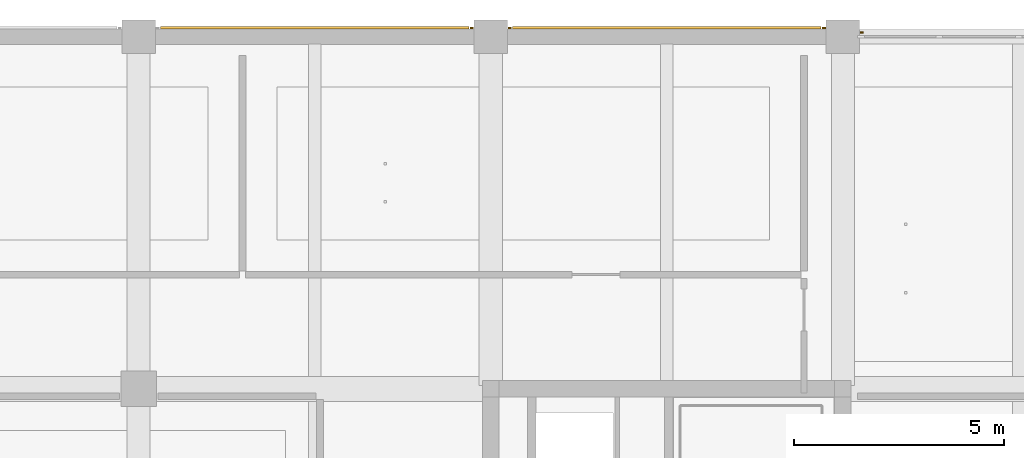
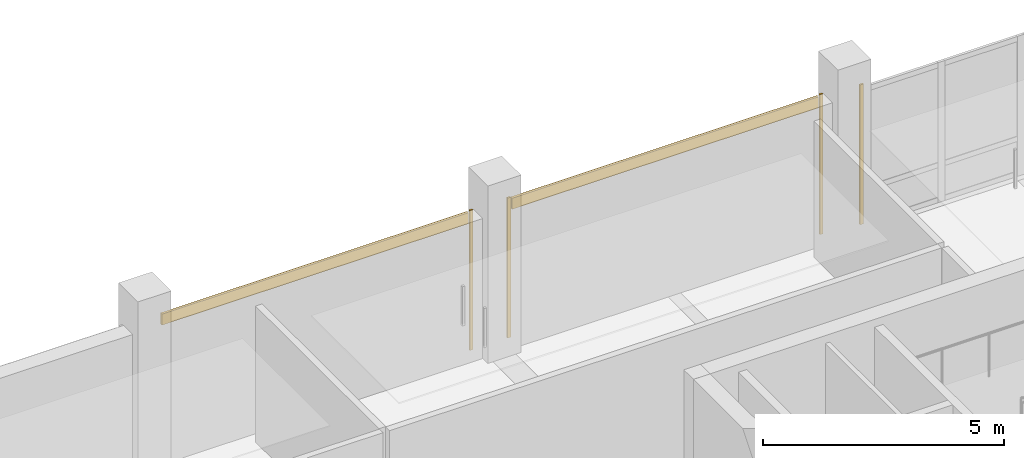
# One storey, part 34 of 35: 6 coverings.
"""IFC4 building model written with IfcOpenShell, lengths in metres."""

from ifc_helpers import new_model, si_unit, direction, frame, origin, origin_2d, place, context, subcontext, project, spatial, rectangle, extrude, material, layer, layer_set, type_object, element, save


model = new_model("IFC4")

# Units and contexts
model_context = context("Model", 3, precision=1e-05, world=origin(), true_north=direction((0.0, 1.0)))
body_context = subcontext(model_context, "Body", "Model", "MODEL_VIEW")
ifc_project = project(units=[si_unit("LENGTHUNIT", "METRE"), si_unit("AREAUNIT", "SQUARE_METRE"), si_unit("VOLUMEUNIT", "CUBIC_METRE"), si_unit("PLANEANGLEUNIT", "RADIAN"), si_unit("MASSUNIT", "GRAM", prefix="KILO")], contexts=[model_context])

# Site, building, storey
site_placement = place(None, origin())
site = spatial("IfcSite", under=ifc_project, at=site_placement, CompositionType="ELEMENT")
building_placement = place(site_placement, origin())
building = spatial("IfcBuilding", under=site, at=building_placement, Name="Telukmera Botanical Conservatory", CompositionType="ELEMENT")
storey_placement = place(building_placement, frame((0.0, 0.0, 28.5)))
storey = spatial("IfcBuildingStorey", under=building, at=storey_placement, Name="L06", CompositionType="ELEMENT", Elevation=28.5)

# Coverings
ifc_material_1 = material(Name="Granite-faced precast concrete C40/50", Category="masonry")
ifc_layer_1 = layer(ifc_material_1, 0.0400390625)
ifc_layer_set_1 = layer_set([ifc_layer_1], Name="Granite-faced precast concrete C40/50")
covering_type_1 = type_object("IfcCoveringType", Name="Granite Precast Column Pier Reveal Casing", PredefinedType="CLADDING", material=ifc_layer_set_1)
for number, where, z_axis, x_axis, name in (
    (1, (91.947998046875, 43.010009765625, 0.0), (0.0, 0.0, 1.0), (1.0, 0.0, 0.0), "Granite Pier Reveal V4:L06:N5 R"),
    (2, (92.85205078125, 43.010009765625, 0.0), (0.0, 0.0, 1.0), (1.0, 0.0, 0.0), "Granite Pier Reveal V4:L06:N6 L"),
    (3, (100.347900390625, 43.010009765625, 0.0), (0.0, 0.0, 1.0), (1.0, 0.0, 0.0), "Granite Pier Reveal V4:L06:N6 R"),
    (4, (101.251953125, 42.89990234375, 0.0), (0.0, 0.0, 1.0), (1.0, 0.0, 0.0), "Granite Pier Reveal V4:L06:N7 L"),
):
    element("IfcCovering", number, at=place(storey_placement, frame(where, z_axis=z_axis, x_axis=x_axis)), inside=storey, type_object=covering_type_1, Name=name, PredefinedType="CLADDING", context=body_context, shape_type="SweptSolid", body=[
        extrude(rectangle(XDim=0.080078125, YDim=0.0400390625, at=origin_2d()), origin(), (0.0, 0.0, 1.0), 3.550048828125),
    ])
ifc_material_2 = material(Name="Terracotta-faced precast concrete C40/50", Category="masonry")
ifc_layer_2 = layer(ifc_material_2, 0.06005859375)
ifc_layer_set_2 = layer_set([ifc_layer_2], Name="Terracotta-faced precast concrete C40/50")
covering_type_2 = type_object("IfcCoveringType", Name="Polychrome Terracotta Facade Band Cladding", PredefinedType="CLADDING", material=ifc_layer_set_2)
for number, where, z_axis, x_axis, name in (
    (5, (88.199951171875, 43.02001953125, 3.22998046875), (0.0, 0.0, 1.0), (1.0, 0.0, 0.0), "Polychrome Terracotta Band V4:L06:N5"),
    (6, (96.60009765625, 43.02001953125, 3.22998046875), (0.0, 0.0, 1.0), (1.0, 0.0, 0.0), "Polychrome Terracotta Band V4:L06:N6"),
):
    element("IfcCovering", number, at=place(storey_placement, frame(where, z_axis=z_axis, x_axis=x_axis)), inside=storey, type_object=covering_type_2, Name=name, PredefinedType="CLADDING", context=body_context, shape_type="SweptSolid", body=[
        extrude(rectangle(XDim=7.35595703125, YDim=0.06005859375, at=origin_2d()), origin(), (0.0, 0.0, 1.0), 0.280029296875),
    ])

save(model, "model.ifc")
